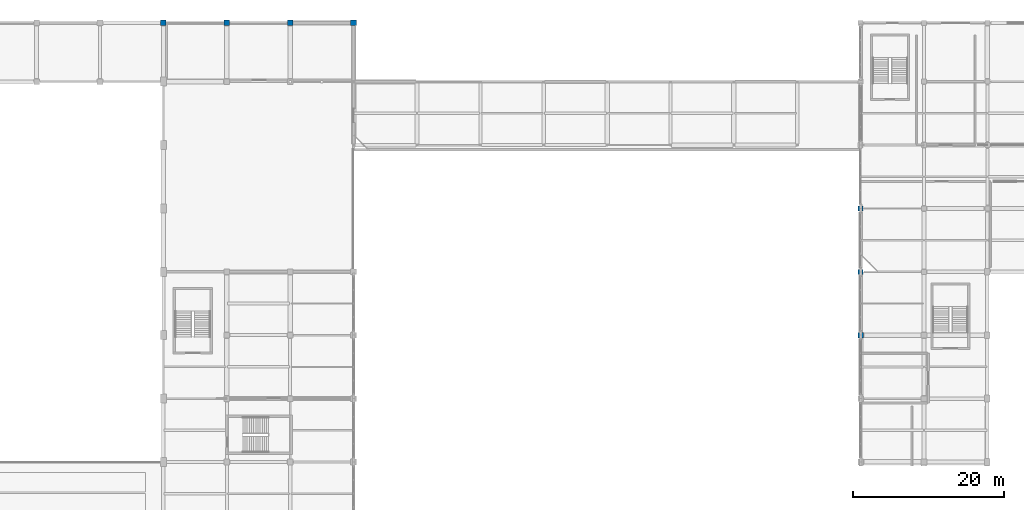
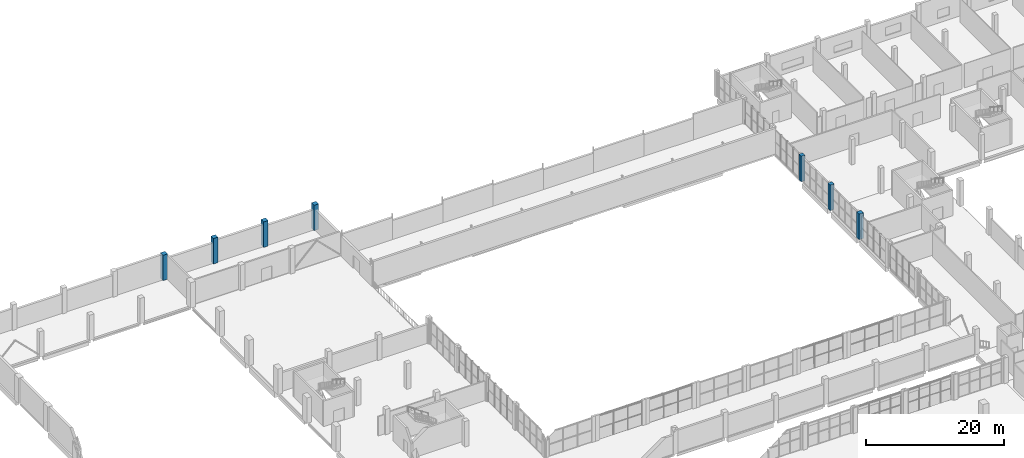
# One storey, part 11 of 75: 7 columns.
"""IFC4 building model written with IfcOpenShell, lengths in metres."""

from ifc_helpers import new_model, si_unit, derived_unit, direction, frame, origin, origin_2d, place, context, subcontext, project, spatial, rectangle, extrude, material, material_profile, profile_set, type_object, element, save


model = new_model("IFC4")

# Units and contexts
model_context = context("Model", 3, precision=1e-05, world=origin(), true_north=direction((0.0, 1.0)))
body_context = subcontext(model_context, "Body", "Model", "MODEL_VIEW")
ifc_project = project(units=[si_unit("LENGTHUNIT", "METRE"), si_unit("AREAUNIT", "SQUARE_METRE"), si_unit("VOLUMEUNIT", "CUBIC_METRE"), si_unit("PLANEANGLEUNIT", "RADIAN"), si_unit("MASSUNIT", "GRAM", prefix="KILO"), derived_unit("THERMALTRANSMITTANCEUNIT", [(si_unit("POWERUNIT", "WATT"), 1), (si_unit("LENGTHUNIT", "METRE"), -2), (si_unit("THERMODYNAMICTEMPERATUREUNIT", "KELVIN"), -1)])], contexts=[model_context])

# Site, building, storey
site_placement = place(None, origin())
site = spatial("IfcSite", under=ifc_project, at=site_placement, CompositionType="ELEMENT")
building_placement = place(site_placement, origin())
building = spatial("IfcBuilding", under=site, at=building_placement, Name="Barrovel Congress Hotel", CompositionType="ELEMENT")
storey_placement = place(building_placement, frame((0.0, 0.0, 5.39990234375)))
storey = spatial("IfcBuildingStorey", under=building, at=storey_placement, Name="L01", CompositionType="ELEMENT", Elevation=5.39990234375)

# Columns
ifc_material = material(Name="Concrete C40", Category="concrete")
ifc_material_profile_1 = material_profile(ifc_material, rectangle(XDim=0.64990234375, YDim=0.64990234375, at=origin_2d()), Name="RC650x650")
ifc_profile_set_1 = profile_set([ifc_material_profile_1], Name="Concrete C40")
column_type_1 = type_object("IfcColumnType", Name="COL-RC650x650", PredefinedType="COLUMN", material=ifc_profile_set_1)
for number, where, z_axis, x_axis, name in (
    (1, (126.0, 79.800048828125, 0.0), (0.0, 0.0, 1.0), (1.0, 0.0, 0.0), "COL:L01:126.0:79.8"),
    (2, (126.0, 88.199951171875, 0.0), (0.0, 0.0, 1.0), (1.0, 0.0, 0.0), "COL:L01:126.0:88.2"),
):
    element("IfcColumn", number, at=place(storey_placement, frame(where, z_axis=z_axis, x_axis=x_axis)), inside=storey, type_object=column_type_1, Name=name, PredefinedType="COLUMN", context=body_context, shape_type="SweptSolid", body=[
        extrude(rectangle(XDim=0.64990234375, YDim=0.64990234375, at=origin_2d()), origin(), (0.0, 0.0, 1.0), 4.5),
    ])
ifc_material_profile_2 = material_profile(ifc_material, rectangle(XDim=0.75, YDim=0.75, at=origin_2d()), Name="RC750x750")
ifc_profile_set_2 = profile_set([ifc_material_profile_2], Name="Concrete C40")
column_type_2 = type_object("IfcColumnType", Name="COL-RC750x750", PredefinedType="COLUMN", material=ifc_profile_set_2)
for number, where, z_axis, x_axis, name in (
    (3, (33.60009765625, 112.800048828125, 0.0), (0.0, 0.0, 1.0), (1.0, 0.0, 0.0), "COL:L01:33.6:112.8"),
    (4, (42.0, 112.800048828125, 0.0), (0.0, 0.0, 1.0), (1.0, 0.0, 0.0), "COL:L01:42.0:112.8"),
    (5, (50.39990234375, 112.800048828125, 0.0), (0.0, 0.0, 1.0), (1.0, 0.0, 0.0), "COL:L01:50.4:112.8"),
    (6, (58.800048828125, 112.800048828125, 0.0), (0.0, 0.0, 1.0), (1.0, 0.0, 0.0), "COL:L01:58.8:112.8"),
    (7, (126.0, 71.39990234375, 0.0), (0.0, 0.0, 1.0), (1.0, 0.0, 0.0), "COL:L01:126.0:71.4"),
):
    element("IfcColumn", number, at=place(storey_placement, frame(where, z_axis=z_axis, x_axis=x_axis)), inside=storey, type_object=column_type_2, Name=name, PredefinedType="COLUMN", context=body_context, shape_type="SweptSolid", body=[
        extrude(rectangle(XDim=0.75, YDim=0.75, at=origin_2d()), origin(), (0.0, 0.0, 1.0), 4.5),
    ])

save(model, "model.ifc")
